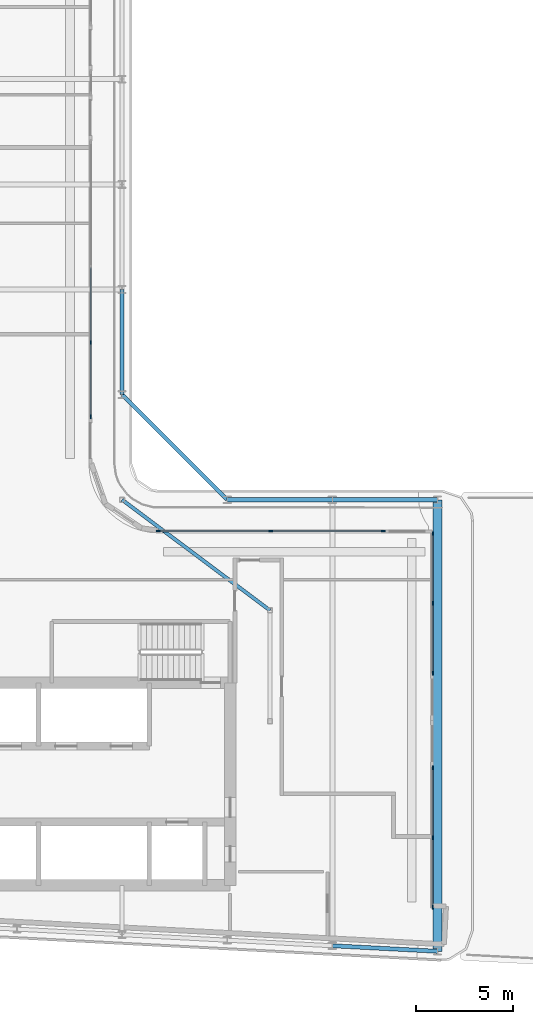
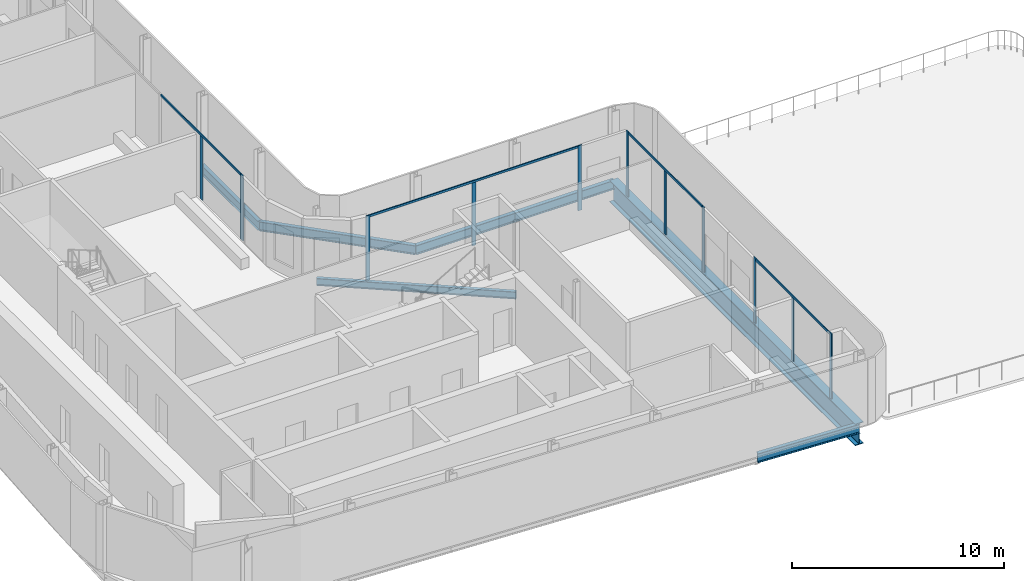
# One storey, part 6 of 22: 15 members, 7 beams, 4 elements without a shape of their own.
"""IFC4 building model written with IfcOpenShell, lengths in metres."""

from ifc_helpers import new_model, si_unit, direction, frame, origin, origin_2d, place, context, subcontext, project, spatial, rectangle, i_section, extrude, material, layer, layer_set, material_profile, profile_set, type_object, element, aggregate, save


model = new_model("IFC4")

# Units and contexts
model_context = context("Model", 3, precision=1e-05, world=origin(), true_north=direction((0.0, 1.0)))
body_context = subcontext(model_context, "Body", "Model", "MODEL_VIEW")
ifc_project = project(units=[si_unit("LENGTHUNIT", "METRE"), si_unit("AREAUNIT", "SQUARE_METRE"), si_unit("VOLUMEUNIT", "CUBIC_METRE"), si_unit("PLANEANGLEUNIT", "RADIAN"), si_unit("MASSUNIT", "GRAM", prefix="KILO")], contexts=[model_context])

# Site, building, storey
site_placement = place(None, origin())
site = spatial("IfcSite", under=ifc_project, at=site_placement, CompositionType="ELEMENT")
building_placement = place(site_placement, origin())
building = spatial("IfcBuilding", under=site, at=building_placement, Name="Kheshtan School and Residences Tower", CompositionType="ELEMENT")
storey_placement = place(building_placement, frame((0.0, 0.0, 274.699951171875)))
storey = spatial("IfcBuildingStorey", under=building, at=storey_placement, Name="L64", CompositionType="ELEMENT", Elevation=274.699951171875)

# Beams
ifc_material_1 = material(Name="Steel ASTM A992 Grade 50", Category="steel")
ifc_material_profile_1 = material_profile(ifc_material_1, i_section(OverallWidth=0.180908203125, OverallDepth=0.4169921875, WebThickness=0.010986328125, FlangeThickness=0.018310546875, FilletRadius=0.012451171875, at=origin_2d()), Name="W410x85")
ifc_profile_set_1 = profile_set([ifc_material_profile_1], Name="Steel ASTM A992 Grade 50")
beam_type_1 = type_object("IfcBeamType", Name="Beam FB3 W410x85 ASTM A992 Grade 50", PredefinedType="BEAM", material=ifc_profile_set_1)
beam_1_placement = place(storey_placement, frame((47.60009765625, 45.60009765625, -0.3583984375), z_axis=(0.800798828004, -0.598933416222, 0.0), x_axis=(0.598933416222, 0.800798828004, 0.0)))
element("IfcBeam", 1, at=beam_1_placement, inside=storey, type_object=beam_type_1, Name="Floor beam IC", PredefinedType="BEAM", context=body_context, shape_type="SweptSolid", body=[
    extrude(i_section(OverallWidth=0.180908203125, OverallDepth=0.4169921875, WebThickness=0.010986328125, FlangeThickness=0.018310546875, FilletRadius=0.012451171875, at=origin_2d()), origin(), (0.0, 0.0, 1.0), 9.490234375),
])
ifc_material_profile_2 = material_profile(ifc_material_1, i_section(OverallWidth=0.208984375, OverallDepth=0.532958984375, WebThickness=0.01025390625, FlangeThickness=0.015625, FilletRadius=0.013916015625, at=origin_2d()), Name="W530x92")
ifc_profile_set_2 = profile_set([ifc_material_profile_2], Name="Steel ASTM A992 Grade 50")
beam_type_2 = type_object("IfcBeamType", Name="Beam SP3 W530x92 ASTM A992 Grade 50", PredefinedType="BEAM", material=ifc_profile_set_2)
beam_2_placement = place(storey_placement, frame((47.60009765625, 56.39990234375, -0.41650390625), z_axis=(0.0, -1.0, 0.0), x_axis=(1.0, 0.0, 0.0)))
element("IfcBeam", 2, at=beam_2_placement, inside=storey, type_object=beam_type_2, Name="Spandrel beam C081-C079", PredefinedType="BEAM", context=body_context, shape_type="SweptSolid", body=[
    extrude(i_section(OverallWidth=0.208984375, OverallDepth=0.532958984375, WebThickness=0.01025390625, FlangeThickness=0.015625, FilletRadius=0.013916015625, at=origin_2d()), origin(), (0.0, 0.0, 1.0), 5.39990234375),
])
beam_3_placement = place(storey_placement, frame((47.60009765625, 51.0, -0.41650390625), z_axis=(0.707106781187, -0.707106781187, 0.0), x_axis=(0.707106781187, 0.707106781187, 0.0)))
element("IfcBeam", 3, at=beam_3_placement, inside=storey, type_object=beam_type_2, Name="Spandrel beam C079-C061", PredefinedType="BEAM", context=body_context, shape_type="SweptSolid", body=[
    extrude(i_section(OverallWidth=0.208984375, OverallDepth=0.532958984375, WebThickness=0.01025390625, FlangeThickness=0.015625, FilletRadius=0.013916015625, at=origin_2d()), origin(), (0.0, 0.0, 1.0), 7.63671875),
])
beam_4_placement = place(storey_placement, frame((53.0, 45.60009765625, -0.41650390625), z_axis=(1.0, 0.0, 0.0), x_axis=(0.0, 1.0, 0.0)))
element("IfcBeam", 4, at=beam_4_placement, inside=storey, type_object=beam_type_2, Name="Spandrel beam C061-C062", PredefinedType="BEAM", context=body_context, shape_type="SweptSolid", body=[
    extrude(i_section(OverallWidth=0.208984375, OverallDepth=0.532958984375, WebThickness=0.01025390625, FlangeThickness=0.015625, FilletRadius=0.013916015625, at=origin_2d()), origin(), (0.0, 0.0, 1.0), 5.39990234375),
])
beam_5_placement = place(storey_placement, frame((58.39990234375, 45.60009765625, -0.41650390625), z_axis=(1.0, 0.0, 0.0), x_axis=(0.0, 1.0, 0.0)))
element("IfcBeam", 5, at=beam_5_placement, inside=storey, type_object=beam_type_2, Name="Spandrel beam C062-C063", PredefinedType="BEAM", context=body_context, shape_type="SweptSolid", body=[
    extrude(i_section(OverallWidth=0.208984375, OverallDepth=0.532958984375, WebThickness=0.01025390625, FlangeThickness=0.015625, FilletRadius=0.013916015625, at=origin_2d()), origin(), (0.0, 0.0, 1.0), 5.400146484375),
])
beam_6_placement = place(storey_placement, frame((63.800048828125, 22.410888671875, -0.41650390625), z_axis=(-0.998618203458, 0.052551724256, 0.0), x_axis=(-0.052551724256, -0.998618203458, 0.0)))
element("IfcBeam", 6, at=beam_6_placement, inside=storey, type_object=beam_type_2, Name="Spandrel beam C016-C018", PredefinedType="BEAM", context=body_context, shape_type="SweptSolid", body=[
    extrude(i_section(OverallWidth=0.208984375, OverallDepth=0.532958984375, WebThickness=0.01025390625, FlangeThickness=0.015625, FilletRadius=0.013916015625, at=origin_2d()), origin(), (0.0, 0.0, 1.0), 5.40771484375),
])

# Curtain wall, members
ifc_material_2 = material(Name="Clear low-e glass in thermally broken aluminium frame", Category="aluminium")
ifc_layer = layer(ifc_material_2, 0.199951171875)
ifc_layer_set = layer_set([ifc_layer], Name="Curtain wall CW-L")
curtain_wall_type = type_object("IfcCurtainWallType", Name="Curtain wall CW-L", PredefinedType="NOTDEFINED", material=ifc_layer_set)
curtain_wall_1_placement = place(storey_placement, origin())
curtain_wall_1 = element("IfcCurtainWall", 7, at=curtain_wall_1_placement, inside=storey, type_object=curtain_wall_type, Name="Curtain wall CWL8", PredefinedType="NOTDEFINED")
ifc_material_3 = material(Name="Thermally broken aluminium, dark bronze anodised", Category="aluminium")
ifc_material_profile_3 = material_profile(ifc_material_3, rectangle(XDim=0.06005859375, YDim=0.199951171875, at=origin_2d()), Name="CW-L mullion 60x200")
ifc_profile_set_3 = profile_set([ifc_material_profile_3], Name="Thermally broken aluminium, dark bronze anodised")
member_type_1 = type_object("IfcMemberType", Name="CW-L mullion 60x200", PredefinedType="MULLION", material=ifc_profile_set_3)
member_1_placement = place(storey_placement, frame((46.0, 53.677001953125, 0.0), z_axis=(0.0, 0.0, 1.0), x_axis=(1.0, 0.0, 0.0)))
member_1 = element("IfcMember", 8, at=member_1_placement, type_object=member_type_1, Name="CWL8 mullion 2", PredefinedType="MULLION", context=body_context, shape_type="SweptSolid", body=[
    extrude(rectangle(XDim=0.06005859375, YDim=0.199951171875, at=origin_2d()), origin(), (0.0, 0.0, 1.0), 3.630126953125),
])
member_2_placement = place(storey_placement, frame((46.0, 49.860107421875, 0.0), z_axis=(0.0, 0.0, 1.0), x_axis=(1.0, 0.0, 0.0)))
member_2 = element("IfcMember", 9, at=member_2_placement, type_object=member_type_1, Name="CWL8 mullion 3", PredefinedType="MULLION", context=body_context, shape_type="SweptSolid", body=[
    extrude(rectangle(XDim=0.06005859375, YDim=0.199951171875, at=origin_2d()), origin(), (0.0, 0.0, 1.0), 3.75),
])

curtain_wall_2_placement = place(storey_placement, origin())
curtain_wall_2 = element("IfcCurtainWall", 10, at=curtain_wall_2_placement, inside=storey, type_object=curtain_wall_type, Name="Curtain wall CWL1232", PredefinedType="NOTDEFINED")
member_3_placement = place(storey_placement, frame((49.4599609375, 44.0, 0.0), z_axis=(0.0, 0.0, 1.0), x_axis=(0.0, 1.0, 0.0)))
member_3 = element("IfcMember", 11, at=member_3_placement, type_object=member_type_1, Name="CWL1232 mullion 1", PredefinedType="MULLION", context=body_context, shape_type="SweptSolid", body=[
    extrude(rectangle(XDim=0.06005859375, YDim=0.199951171875, at=origin_2d()), origin(), (0.0, 0.0, 1.0), 3.75),
])
member_4_placement = place(storey_placement, frame((55.239990234375, 44.0, 0.0), z_axis=(0.0, 0.0, 1.0), x_axis=(0.0, 1.0, 0.0)))
member_4 = element("IfcMember", 12, at=member_4_placement, type_object=member_type_1, Name="CWL1232 mullion 2", PredefinedType="MULLION", context=body_context, shape_type="SweptSolid", body=[
    extrude(rectangle(XDim=0.06005859375, YDim=0.199951171875, at=origin_2d()), origin(), (0.0, 0.0, 1.0), 3.630126953125),
])
member_5_placement = place(storey_placement, frame((61.02001953125, 44.0, 0.0), z_axis=(0.0, 0.0, 1.0), x_axis=(0.0, 1.0, 0.0)))
member_5 = element("IfcMember", 13, at=member_5_placement, type_object=member_type_1, Name="CWL1232 mullion 3", PredefinedType="MULLION", context=body_context, shape_type="SweptSolid", body=[
    extrude(rectangle(XDim=0.06005859375, YDim=0.199951171875, at=origin_2d()), origin(), (0.0, 0.0, 1.0), 3.75),
])

curtain_wall_3_placement = place(storey_placement, origin())
curtain_wall_3 = element("IfcCurtainWall", 14, at=curtain_wall_3_placement, inside=storey, type_object=curtain_wall_type, Name="Curtain wall CWL13d", PredefinedType="NOTDEFINED")
member_6_placement = place(storey_placement, frame((63.550048828125, 43.8701171875, 0.0), z_axis=(0.0, 0.0, 1.0), x_axis=(1.0, 0.0, 0.0)))
member_6 = element("IfcMember", 15, at=member_6_placement, type_object=member_type_1, Name="CWL13d mullion 1", PredefinedType="MULLION", context=body_context, shape_type="SweptSolid", body=[
    extrude(rectangle(XDim=0.06005859375, YDim=0.199951171875, at=origin_2d()), origin(), (0.0, 0.0, 1.0), 3.75),
])
member_7_placement = place(storey_placement, frame((63.550048828125, 40.283203125, 0.0), z_axis=(0.0, 0.0, 1.0), x_axis=(1.0, 0.0, 0.0)))
member_7 = element("IfcMember", 16, at=member_7_placement, type_object=member_type_1, Name="CWL13d mullion 2", PredefinedType="MULLION", context=body_context, shape_type="SweptSolid", body=[
    extrude(rectangle(XDim=0.06005859375, YDim=0.199951171875, at=origin_2d()), origin(), (0.0, 0.0, 1.0), 3.630126953125),
])
member_8_placement = place(storey_placement, frame((63.550048828125, 36.696533203125, 0.0), z_axis=(0.0, 0.0, 1.0), x_axis=(1.0, 0.0, 0.0)))
member_8 = element("IfcMember", 17, at=member_8_placement, type_object=member_type_1, Name="CWL13d mullion 3", PredefinedType="MULLION", context=body_context, shape_type="SweptSolid", body=[
    extrude(rectangle(XDim=0.06005859375, YDim=0.199951171875, at=origin_2d()), origin(), (0.0, 0.0, 1.0), 3.75),
])

curtain_wall_4_placement = place(storey_placement, origin())
curtain_wall_4 = element("IfcCurtainWall", 18, at=curtain_wall_4_placement, inside=storey, type_object=curtain_wall_type, Name="Curtain wall CWL13d", PredefinedType="NOTDEFINED")
member_9_placement = place(storey_placement, frame((63.550048828125, 31.83642578125, 0.0), z_axis=(0.0, 0.0, 1.0), x_axis=(1.0, 0.0, 0.0)))
member_9 = element("IfcMember", 19, at=member_9_placement, type_object=member_type_1, Name="CWL13d mullion 1", PredefinedType="MULLION", context=body_context, shape_type="SweptSolid", body=[
    extrude(rectangle(XDim=0.06005859375, YDim=0.199951171875, at=origin_2d()), origin(), (0.0, 0.0, 1.0), 3.75),
])
member_10_placement = place(storey_placement, frame((63.550048828125, 28.249755859375, 0.0), z_axis=(0.0, 0.0, 1.0), x_axis=(1.0, 0.0, 0.0)))
member_10 = element("IfcMember", 20, at=member_10_placement, type_object=member_type_1, Name="CWL13d mullion 2", PredefinedType="MULLION", context=body_context, shape_type="SweptSolid", body=[
    extrude(rectangle(XDim=0.06005859375, YDim=0.199951171875, at=origin_2d()), origin(), (0.0, 0.0, 1.0), 3.630126953125),
])
member_11_placement = place(storey_placement, frame((63.550048828125, 24.6630859375, 0.0), z_axis=(0.0, 0.0, 1.0), x_axis=(1.0, 0.0, 0.0)))
member_11 = element("IfcMember", 21, at=member_11_placement, type_object=member_type_1, Name="CWL13d mullion 3", PredefinedType="MULLION", context=body_context, shape_type="SweptSolid", body=[
    extrude(rectangle(XDim=0.06005859375, YDim=0.199951171875, at=origin_2d()), origin(), (0.0, 0.0, 1.0), 3.75),
])

# Member
ifc_material_profile_4 = material_profile(ifc_material_3, rectangle(XDim=0.06005859375, YDim=0.1201171875, at=origin_2d()), Name="CW-L transom 60x120")
ifc_profile_set_4 = profile_set([ifc_material_profile_4], Name="Thermally broken aluminium, dark bronze anodised")
member_type_2 = type_object("IfcMemberType", Name="CW-L transom 60x120", PredefinedType="USERDEFINED", material=ifc_profile_set_4)
member_12_placement = place(storey_placement, frame((46.0, 57.52392578125, 3.68994140625), z_axis=(0.0, -1.0, 0.0), x_axis=(1.0, 0.0, 0.0)))
member_12 = element("IfcMember", 22, at=member_12_placement, type_object=member_type_2, Name="CWL8 transom 1", ObjectType="TRANSOM", PredefinedType="USERDEFINED", context=body_context, shape_type="SweptSolid", body=[
    extrude(rectangle(XDim=0.06005859375, YDim=0.1201171875, at=origin_2d()), origin(), (0.0, 0.0, 1.0), 7.634033203125),
])

aggregate(curtain_wall_1, [member_1, member_2, member_12])

member_13_placement = place(storey_placement, frame((49.489990234375, 44.0, 3.68994140625), z_axis=(1.0, 0.0, 0.0), x_axis=(0.0, 1.0, 0.0)))
member_13 = element("IfcMember", 23, at=member_13_placement, type_object=member_type_2, Name="CWL1232 transom 1", ObjectType="TRANSOM", PredefinedType="USERDEFINED", context=body_context, shape_type="SweptSolid", body=[
    extrude(rectangle(XDim=0.06005859375, YDim=0.1201171875, at=origin_2d()), origin(), (0.0, 0.0, 1.0), 11.5),
])

aggregate(curtain_wall_2, [member_3, member_4, member_5, member_13])

member_14_placement = place(storey_placement, frame((63.550048828125, 43.840087890625, 3.68994140625), z_axis=(0.0, -1.0, 0.0), x_axis=(1.0, 0.0, 0.0)))
member_14 = element("IfcMember", 24, at=member_14_placement, type_object=member_type_2, Name="CWL13d transom 1", ObjectType="TRANSOM", PredefinedType="USERDEFINED", context=body_context, shape_type="SweptSolid", body=[
    extrude(rectangle(XDim=0.06005859375, YDim=0.1201171875, at=origin_2d()), origin(), (0.0, 0.0, 1.0), 7.113525390625),
])

aggregate(curtain_wall_3, [member_6, member_7, member_8, member_14])

member_15_placement = place(storey_placement, frame((63.550048828125, 31.806396484375, 3.68994140625), z_axis=(0.0, -1.0, 0.0), x_axis=(1.0, 0.0, 0.0)))
member_15 = element("IfcMember", 25, at=member_15_placement, type_object=member_type_2, Name="CWL13d transom 1", ObjectType="TRANSOM", PredefinedType="USERDEFINED", context=body_context, shape_type="SweptSolid", body=[
    extrude(rectangle(XDim=0.06005859375, YDim=0.1201171875, at=origin_2d()), origin(), (0.0, 0.0, 1.0), 7.11328125),
])

aggregate(curtain_wall_4, [member_9, member_10, member_11, member_15])

# Beam
ifc_material_profile_5 = material_profile(ifc_material_1, i_section(OverallWidth=0.449951171875, OverallDepth=1.25, WebThickness=0.02490234375, FlangeThickness=0.044921875, FilletRadius=0.03759765625, at=origin_2d()), Name="WWF1250x546")
ifc_profile_set_5 = profile_set([ifc_material_profile_5], Name="Steel ASTM A992 Grade 50")
beam_type_3 = type_object("IfcBeamType", Name="Transfer girder TG4 WWF1250x546 ASTM A992 Grade 50", PredefinedType="BEAM", material=ifc_profile_set_5)
beam_7_placement = place(storey_placement, frame((63.800048828125, 45.60009765625, -0.77490234375), z_axis=(0.0, -1.0, 0.0), x_axis=(1.0, 0.0, 0.0)))
element("IfcBeam", 26, at=beam_7_placement, inside=storey, type_object=beam_type_3, Name="Transfer girder C063-C016", PredefinedType="BEAM", context=body_context, shape_type="SweptSolid", body=[
    extrude(i_section(OverallWidth=0.449951171875, OverallDepth=1.25, WebThickness=0.02490234375, FlangeThickness=0.044921875, FilletRadius=0.03759765625, at=origin_2d()), origin(), (0.0, 0.0, 1.0), 23.189208984375),
])

save(model, "model.ifc")
